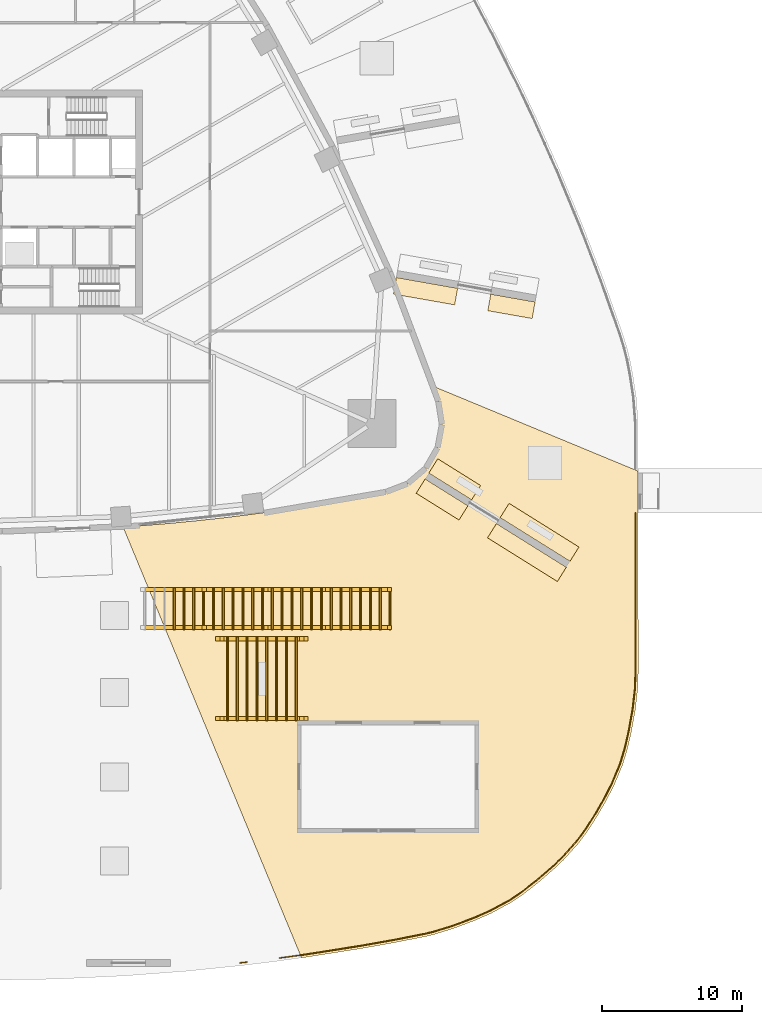
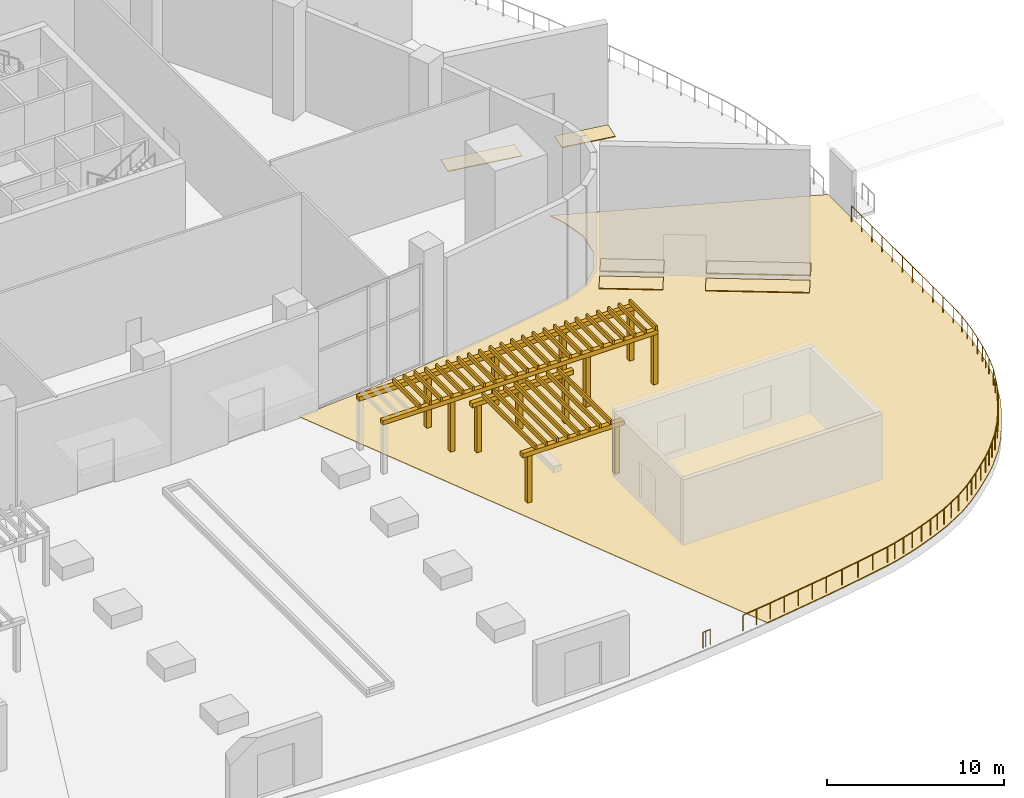
# One storey, part 17 of 20: 47 shading devices, 7 coverings, 2 railings.
"""IFC4 building model written with IfcOpenShell, lengths in metres."""

from ifc_helpers import new_model, si_unit, direction, frame, origin, origin_2d, place, context, subcontext, project, spatial, polyline, rectangle, circle, outline, extrude, material, layer, layer_set, type_object, element, save


model = new_model("IFC4")

# Units and contexts
model_context = context("Model", 3, precision=1e-05, world=origin(), true_north=direction((0.0, 1.0)))
body_context = subcontext(model_context, "Body", "Model", "MODEL_VIEW")
ifc_project = project(units=[si_unit("LENGTHUNIT", "METRE"), si_unit("AREAUNIT", "SQUARE_METRE"), si_unit("VOLUMEUNIT", "CUBIC_METRE"), si_unit("PLANEANGLEUNIT", "RADIAN"), si_unit("MASSUNIT", "GRAM", prefix="KILO")], contexts=[model_context])

# Site, building, storey
site_placement = place(None, origin())
site = spatial("IfcSite", under=ifc_project, at=site_placement, CompositionType="ELEMENT")
building_placement = place(site_placement, origin())
building = spatial("IfcBuilding", under=site, at=building_placement, Name="Sierra Prisma Convention Tower", CompositionType="ELEMENT")
storey_placement = place(building_placement, frame((0.0, 0.0, 9.0)))
storey = spatial("IfcBuildingStorey", under=building, at=storey_placement, Name="L01", CompositionType="ELEMENT", Elevation=9.0)

# Railings
ifc_material_1 = material(Name="Bronze anodised aluminium", Category="aluminium")
railing_type = type_object("IfcRailingType", Name="Deck guard 1100", PredefinedType="GUARDRAIL", material=ifc_material_1)
railing_1_placement = place(storey_placement, frame((17.949951171875, -54.276611328125, 0.0)))
element("IfcRailing", 1, at=railing_1_placement, inside=storey, type_object=railing_type, Name="Deck guard 1", PredefinedType="GUARDRAIL", context=body_context, shape_type="SweptSolid", body=[
    extrude(circle(Radius=0.02392578125, at=origin_2d()), frame((0.0, 0.0, 1.076171875), z_axis=(0.994800813463, 0.10183978365, 0.0), x_axis=(-0.10183978365, 0.994800813463, 0.0)), (0.0, 0.0, 1.0), 0.196533203125),
    extrude(circle(Radius=0.02392578125, at=origin_2d()), frame((0.195556640625, 0.02001953125, 1.076171875), z_axis=(0.992652875007, 0.120996982359, 0.0), x_axis=(-0.120996982359, 0.992652875007, 0.0)), (0.0, 0.0, 1.0), 0.306640625),
    extrude(circle(Radius=0.02099609375, at=origin_2d()), origin(), (0.0, 0.0, 1.0), 1.052001953125),
    extrude(circle(Radius=0.02099609375, at=origin_2d()), frame((0.195556640625, 0.02001953125, 0.0)), (0.0, 0.0, 1.0), 1.052001953125),
    extrude(circle(Radius=0.02099609375, at=origin_2d()), frame((0.5, 0.05712890625, 0.0)), (0.0, 0.0, 1.0), 1.052001953125),
])
railing_2_placement = place(storey_placement, frame((20.75, -53.93212890625, 0.0)))
element("IfcRailing", 2, at=railing_2_placement, inside=storey, type_object=railing_type, Name="Deck guard 2", PredefinedType="GUARDRAIL", context=body_context, shape_type="SweptSolid", body=[
    extrude(circle(Radius=0.02392578125, at=origin_2d()), frame((0.0, 0.0, 1.076171875), z_axis=(0.990716561778, 0.135943717096, 0.0), x_axis=(-0.135943717096, 0.990716561778, 0.0)), (0.0, 0.0, 1.0), 1.94140625),
    extrude(circle(Radius=0.02392578125, at=origin_2d()), frame((1.92333984375, 0.263916015625, 1.076171875), z_axis=(0.987795675875, 0.155755265471, 0.0), x_axis=(-0.155755265471, 0.987795675875, 0.0)), (0.0, 0.0, 1.0), 4.052001953125),
    extrude(circle(Radius=0.02392578125, at=origin_2d()), frame((5.92578125, 0.89501953125, 1.076171875), z_axis=(0.984443020679, 0.17570412356, 0.0), x_axis=(-0.17570412356, 0.984443020679, 0.0)), (0.0, 0.0, 1.0), 2.343994140625),
    extrude(circle(Radius=0.02392578125, at=origin_2d()), frame((8.2333984375, 1.306884765625, 1.076171875), z_axis=(0.981123572943, 0.193381836311, 0.0), x_axis=(-0.193381836311, 0.981123572943, 0.0)), (0.0, 0.0, 1.0), 2.215576171875),
    extrude(circle(Radius=0.02392578125, at=origin_2d()), frame((10.4072265625, 1.7353515625, 1.076171875), z_axis=(0.972489396376, 0.232947148375, 0.0), x_axis=(-0.232947148375, 0.972489396376, 0.0)), (0.0, 0.0, 1.0), 0.56396484375),
    extrude(circle(Radius=0.02392578125, at=origin_2d()), frame((10.95556640625, 1.86669921875, 1.076171875), z_axis=(0.956452540859, 0.291887884443, 0.0), x_axis=(-0.291887884443, 0.956452540859, 0.0)), (0.0, 0.0, 1.0), 1.444580078125),
    extrude(circle(Radius=0.02392578125, at=origin_2d()), frame((12.337158203125, 2.288330078125, 1.076171875), z_axis=(0.93544547986, 0.353471009008, 0.0), x_axis=(-0.353471009008, 0.93544547986, 0.0)), (0.0, 0.0, 1.0), 1.61767578125),
    extrude(circle(Radius=0.02392578125, at=origin_2d()), frame((13.850341796875, 2.860107421875, 1.076171875), z_axis=(0.916557061835, 0.399903928964, 0.0), x_axis=(-0.399903928964, 0.916557061835, 0.0)), (0.0, 0.0, 1.0), 1.2880859375),
    extrude(circle(Radius=0.02392578125, at=origin_2d()), frame((15.031005859375, 3.375244140625, 1.076171875), z_axis=(0.879114955194, 0.476609793809, 0.0), x_axis=(-0.476609793809, 0.879114955194, 0.0)), (0.0, 0.0, 1.0), 1.56494140625),
    extrude(circle(Radius=0.02392578125, at=origin_2d()), frame((16.40673828125, 4.12109375, 1.076171875), z_axis=(0.828805562288, 0.559536719011, 0.0), x_axis=(-0.559536719011, 0.828805562288, 0.0)), (0.0, 0.0, 1.0), 1.1162109375),
    extrude(circle(Radius=0.02392578125, at=origin_2d()), frame((17.331787109375, 4.74560546875, 1.076171875), z_axis=(0.78833146457, 0.615250763485, 0.0), x_axis=(-0.615250763485, 0.78833146457, 0.0)), (0.0, 0.0, 1.0), 1.289306640625),
    extrude(circle(Radius=0.02392578125, at=origin_2d()), frame((18.34814453125, 5.538818359375, 1.076171875), z_axis=(0.753942381339, 0.656940549533, 0.0), x_axis=(-0.656940549533, 0.753942381339, 0.0)), (0.0, 0.0, 1.0), 1.68115234375),
    extrude(circle(Radius=0.02392578125, at=origin_2d()), frame((19.61572265625, 6.643310546875, 1.076171875), z_axis=(0.722135756942, 0.691751363241, 0.0), x_axis=(-0.691751363241, 0.722135756942, 0.0)), (0.0, 0.0, 1.0), 0.72314453125),
    extrude(circle(Radius=0.02392578125, at=origin_2d()), frame((20.137939453125, 7.1435546875, 1.076171875), z_axis=(0.669859759832, 0.742487644448, 0.0), x_axis=(-0.742487644448, 0.669859759832, 0.0)), (0.0, 0.0, 1.0), 1.56640625),
    extrude(circle(Radius=0.02392578125, at=origin_2d()), frame((21.187255859375, 8.306640625, 1.076171875), z_axis=(0.594876933832, 0.803816791063, 0.0), x_axis=(-0.803816791063, 0.594876933832, 0.0)), (0.0, 0.0, 1.0), 1.115966796875),
    extrude(circle(Radius=0.02392578125, at=origin_2d()), frame((21.85107421875, 9.20361328125, 1.076171875), z_axis=(0.537818013768, 0.843060961062, 0.0), x_axis=(-0.843060961062, 0.537818013768, 0.0)), (0.0, 0.0, 1.0), 1.2900390625),
    extrude(circle(Radius=0.02392578125, at=origin_2d()), frame((22.544921875, 10.291259765625, 1.076171875), z_axis=(0.499949632511, 0.866054481515, 0.0), x_axis=(-0.866054481515, 0.499949632511, 0.0)), (0.0, 0.0, 1.0), 1.1162109375),
    extrude(circle(Radius=0.02392578125, at=origin_2d()), frame((23.10302734375, 11.258056640625, 1.076171875), z_axis=(0.461179719494, 0.887306748722, 0.0), x_axis=(-0.887306748722, 0.461179719494, 0.0)), (0.0, 0.0, 1.0), 1.28857421875),
    extrude(circle(Radius=0.02392578125, at=origin_2d()), frame((23.697265625, 12.4013671875, 1.076171875), z_axis=(0.383917425958, 0.9233674296, 0.0), x_axis=(-0.9233674296, 0.383917425958, 0.0)), (0.0, 0.0, 1.0), 1.56494140625),
    extrude(circle(Radius=0.02392578125, at=origin_2d()), frame((24.298095703125, 13.846435546875, 1.076171875), z_axis=(0.29264081094, 0.95622244053, 0.0), x_axis=(-0.95622244053, 0.29264081094, 0.0)), (0.0, 0.0, 1.0), 1.1162109375),
    extrude(circle(Radius=0.02392578125, at=origin_2d()), frame((24.624755859375, 14.913818359375, 1.076171875), z_axis=(0.226062337714, 0.974112837133, 0.0), x_axis=(-0.974112837133, 0.226062337714, 0.0)), (0.0, 0.0, 1.0), 1.28955078125),
    extrude(circle(Radius=0.02392578125, at=origin_2d()), frame((24.916259765625, 16.169921875, 1.076171875), z_axis=(0.176149252506, 0.984363469884, 0.0), x_axis=(-0.984363469884, 0.176149252506, 0.0)), (0.0, 0.0, 1.0), 1.625732421875),
    extrude(circle(Radius=0.02392578125, at=origin_2d()), frame((25.20263671875, 17.770263671875, 1.076171875), z_axis=(0.109752349544, 0.993958963826, 0.0), x_axis=(-0.993958963826, 0.109752349544, 0.0)), (0.0, 0.0, 1.0), 1.499267578125),
    extrude(circle(Radius=0.02392578125, at=origin_2d()), frame((25.3671875, 19.260498046875, 1.076171875), z_axis=(0.035783293856, 0.999359572867, 0.0), x_axis=(-0.999359572867, 0.035783293856, 0.0)), (0.0, 0.0, 1.0), 1.0439453125),
    extrude(circle(Radius=0.02392578125, at=origin_2d()), frame((25.404541015625, 20.3037109375, 1.076171875), z_axis=(-0.000405004976, 0.999999917985, 0.0), x_axis=(-0.999999917985, -0.000405004976, 0.0)), (0.0, 0.0, 1.0), 11.453369140625),
    extrude(circle(Radius=0.02099609375, at=origin_2d()), origin(), (0.0, 0.0, 1.0), 1.052001953125),
    extrude(circle(Radius=0.02099609375, at=origin_2d()), frame((0.961669921875, 0.1318359375, 0.0)), (0.0, 0.0, 1.0), 1.052001953125),
    extrude(circle(Radius=0.02099609375, at=origin_2d()), frame((1.92333984375, 0.263916015625, 0.0)), (0.0, 0.0, 1.0), 1.052001953125),
    extrude(circle(Radius=0.02099609375, at=origin_2d()), frame((2.923828125, 0.421630859375, 0.0)), (0.0, 0.0, 1.0), 1.052001953125),
    extrude(circle(Radius=0.02099609375, at=origin_2d()), frame((3.924560546875, 0.57958984375, 0.0)), (0.0, 0.0, 1.0), 1.052001953125),
    extrude(circle(Radius=0.02099609375, at=origin_2d()), frame((4.92529296875, 0.7373046875, 0.0)), (0.0, 0.0, 1.0), 1.052001953125),
    extrude(circle(Radius=0.02099609375, at=origin_2d()), frame((5.92578125, 0.89501953125, 0.0)), (0.0, 0.0, 1.0), 1.052001953125),
    extrude(circle(Radius=0.02099609375, at=origin_2d()), frame((7.07958984375, 1.10107421875, 0.0)), (0.0, 0.0, 1.0), 1.052001953125),
    extrude(circle(Radius=0.02099609375, at=origin_2d()), frame((8.2333984375, 1.306884765625, 0.0)), (0.0, 0.0, 1.0), 1.052001953125),
    extrude(circle(Radius=0.02099609375, at=origin_2d()), frame((9.3203125, 1.52099609375, 0.0)), (0.0, 0.0, 1.0), 1.052001953125),
    extrude(circle(Radius=0.02099609375, at=origin_2d()), frame((10.4072265625, 1.7353515625, 0.0)), (0.0, 0.0, 1.0), 1.052001953125),
    extrude(circle(Radius=0.02099609375, at=origin_2d()), frame((10.95556640625, 1.86669921875, 0.0)), (0.0, 0.0, 1.0), 1.052001953125),
    extrude(circle(Radius=0.02099609375, at=origin_2d()), frame((11.646484375, 2.07763671875, 0.0)), (0.0, 0.0, 1.0), 1.052001953125),
    extrude(circle(Radius=0.02099609375, at=origin_2d()), frame((12.337158203125, 2.288330078125, 0.0)), (0.0, 0.0, 1.0), 1.052001953125),
    extrude(circle(Radius=0.02099609375, at=origin_2d()), frame((13.09375, 2.57421875, 0.0)), (0.0, 0.0, 1.0), 1.052001953125),
    extrude(circle(Radius=0.02099609375, at=origin_2d()), frame((13.850341796875, 2.860107421875, 0.0)), (0.0, 0.0, 1.0), 1.052001953125),
    extrude(circle(Radius=0.02099609375, at=origin_2d()), frame((14.440673828125, 3.11767578125, 0.0)), (0.0, 0.0, 1.0), 1.052001953125),
    extrude(circle(Radius=0.02099609375, at=origin_2d()), frame((15.031005859375, 3.375244140625, 0.0)), (0.0, 0.0, 1.0), 1.052001953125),
    extrude(circle(Radius=0.02099609375, at=origin_2d()), frame((15.71875, 3.748046875, 0.0)), (0.0, 0.0, 1.0), 1.052001953125),
    extrude(circle(Radius=0.02099609375, at=origin_2d()), frame((16.40673828125, 4.12109375, 0.0)), (0.0, 0.0, 1.0), 1.052001953125),
    extrude(circle(Radius=0.02099609375, at=origin_2d()), frame((17.331787109375, 4.74560546875, 0.0)), (0.0, 0.0, 1.0), 1.052001953125),
    extrude(circle(Radius=0.02099609375, at=origin_2d()), frame((17.83984375, 5.14208984375, 0.0)), (0.0, 0.0, 1.0), 1.052001953125),
    extrude(circle(Radius=0.02099609375, at=origin_2d()), frame((18.34814453125, 5.538818359375, 0.0)), (0.0, 0.0, 1.0), 1.052001953125),
    extrude(circle(Radius=0.02099609375, at=origin_2d()), frame((18.98193359375, 6.091064453125, 0.0)), (0.0, 0.0, 1.0), 1.052001953125),
    extrude(circle(Radius=0.02099609375, at=origin_2d()), frame((19.61572265625, 6.643310546875, 0.0)), (0.0, 0.0, 1.0), 1.052001953125),
    extrude(circle(Radius=0.02099609375, at=origin_2d()), frame((20.137939453125, 7.1435546875, 0.0)), (0.0, 0.0, 1.0), 1.052001953125),
    extrude(circle(Radius=0.02099609375, at=origin_2d()), frame((20.66259765625, 7.72509765625, 0.0)), (0.0, 0.0, 1.0), 1.052001953125),
    extrude(circle(Radius=0.02099609375, at=origin_2d()), frame((21.187255859375, 8.306640625, 0.0)), (0.0, 0.0, 1.0), 1.052001953125),
    extrude(circle(Radius=0.02099609375, at=origin_2d()), frame((21.85107421875, 9.20361328125, 0.0)), (0.0, 0.0, 1.0), 1.052001953125),
    extrude(circle(Radius=0.02099609375, at=origin_2d()), frame((22.197998046875, 9.74755859375, 0.0)), (0.0, 0.0, 1.0), 1.052001953125),
    extrude(circle(Radius=0.02099609375, at=origin_2d()), frame((22.544921875, 10.291259765625, 0.0)), (0.0, 0.0, 1.0), 1.052001953125),
    extrude(circle(Radius=0.02099609375, at=origin_2d()), frame((23.10302734375, 11.258056640625, 0.0)), (0.0, 0.0, 1.0), 1.052001953125),
    extrude(circle(Radius=0.02099609375, at=origin_2d()), frame((23.400146484375, 11.82958984375, 0.0)), (0.0, 0.0, 1.0), 1.052001953125),
    extrude(circle(Radius=0.02099609375, at=origin_2d()), frame((23.697265625, 12.4013671875, 0.0)), (0.0, 0.0, 1.0), 1.052001953125),
    extrude(circle(Radius=0.02099609375, at=origin_2d()), frame((23.99755859375, 13.1240234375, 0.0)), (0.0, 0.0, 1.0), 1.052001953125),
    extrude(circle(Radius=0.02099609375, at=origin_2d()), frame((24.298095703125, 13.846435546875, 0.0)), (0.0, 0.0, 1.0), 1.052001953125),
    extrude(circle(Radius=0.02099609375, at=origin_2d()), frame((24.624755859375, 14.913818359375, 0.0)), (0.0, 0.0, 1.0), 1.052001953125),
    extrude(circle(Radius=0.02099609375, at=origin_2d()), frame((24.7705078125, 15.5419921875, 0.0)), (0.0, 0.0, 1.0), 1.052001953125),
    extrude(circle(Radius=0.02099609375, at=origin_2d()), frame((24.916259765625, 16.169921875, 0.0)), (0.0, 0.0, 1.0), 1.052001953125),
    extrude(circle(Radius=0.02099609375, at=origin_2d()), frame((25.0595703125, 16.97021484375, 0.0)), (0.0, 0.0, 1.0), 1.052001953125),
    extrude(circle(Radius=0.02099609375, at=origin_2d()), frame((25.20263671875, 17.770263671875, 0.0)), (0.0, 0.0, 1.0), 1.052001953125),
    extrude(circle(Radius=0.02099609375, at=origin_2d()), frame((25.284912109375, 18.515380859375, 0.0)), (0.0, 0.0, 1.0), 1.052001953125),
    extrude(circle(Radius=0.02099609375, at=origin_2d()), frame((25.3671875, 19.260498046875, 0.0)), (0.0, 0.0, 1.0), 1.052001953125),
    extrude(circle(Radius=0.02099609375, at=origin_2d()), frame((25.404541015625, 20.3037109375, 0.0)), (0.0, 0.0, 1.0), 1.052001953125),
    extrude(circle(Radius=0.02099609375, at=origin_2d()), frame((25.404052734375, 21.448974609375, 0.0)), (0.0, 0.0, 1.0), 1.052001953125),
    extrude(circle(Radius=0.02099609375, at=origin_2d()), frame((25.403564453125, 22.594482421875, 0.0)), (0.0, 0.0, 1.0), 1.052001953125),
    extrude(circle(Radius=0.02099609375, at=origin_2d()), frame((25.403076171875, 23.73974609375, 0.0)), (0.0, 0.0, 1.0), 1.052001953125),
    extrude(circle(Radius=0.02099609375, at=origin_2d()), frame((25.402587890625, 24.885009765625, 0.0)), (0.0, 0.0, 1.0), 1.052001953125),
    extrude(circle(Radius=0.02099609375, at=origin_2d()), frame((25.40234375, 26.0302734375, 0.0)), (0.0, 0.0, 1.0), 1.052001953125),
    extrude(circle(Radius=0.02099609375, at=origin_2d()), frame((25.40185546875, 27.17578125, 0.0)), (0.0, 0.0, 1.0), 1.052001953125),
    extrude(circle(Radius=0.02099609375, at=origin_2d()), frame((25.4013671875, 28.321044921875, 0.0)), (0.0, 0.0, 1.0), 1.052001953125),
    extrude(circle(Radius=0.02099609375, at=origin_2d()), frame((25.40087890625, 29.46630859375, 0.0)), (0.0, 0.0, 1.0), 1.052001953125),
    extrude(circle(Radius=0.02099609375, at=origin_2d()), frame((25.400390625, 30.61181640625, 0.0)), (0.0, 0.0, 1.0), 1.052001953125),
    extrude(circle(Radius=0.02099609375, at=origin_2d()), frame((25.39990234375, 31.757080078125, 0.0)), (0.0, 0.0, 1.0), 1.052001953125),
])

# Coverings
ifc_material_2 = material(Name="Natural limestone pavers", Category="masonry")
ifc_layer_1 = layer(ifc_material_2, 0.06005859375)
ifc_layer_set_1 = layer_set([ifc_layer_1], Name="Deck paving, stone pavers")
covering_type_1 = type_object("IfcCoveringType", Name="Deck paving, stone pavers", PredefinedType="FLOORING", material=ifc_layer_set_1)
covering_1_placement = place(storey_placement, frame((0.0, 0.0, -0.06005859375)))
element("IfcCovering", 3, at=covering_1_placement, inside=storey, type_object=covering_type_1, Name="Deck paving 2", PredefinedType="FLOORING", context=body_context, shape_type="SweptSolid", body=[
    extrude(outline(polyline([(46.348388671875, -19.1982421875), (31.728515625, -13.142333984375), (32.091064453125, -14.1904296875), (32.354736328125, -15.861572265625), (32.045654296875, -17.52490234375), (31.199951171875, -18.989990234375), (29.913818359375, -20.089111328125), (28.3349609375, -20.696533203125), (26.403564453125, -21.06884765625), (24.467529296875, -21.414794921875), (22.52685546875, -21.734375), (20.581787109375, -22.027587890625), (18.63330078125, -22.29443359375), (16.68115234375, -22.53466796875), (14.725830078125, -22.748291015625), (12.767822265625, -22.93505859375), (10.8076171875, -23.095458984375), (9.6005859375, -23.177734375), (22.3330078125, -53.916748046875), (22.702392578125, -53.8662109375), (26.708984375, -53.234375), (29.020263671875, -52.822021484375), (31.199951171875, -52.39208984375), (31.758056640625, -52.258544921875), (33.15185546875, -51.833251953125), (34.67578125, -51.25732421875), (35.86865234375, -50.73681640625), (37.2607421875, -49.982177734375), (38.199462890625, -49.348388671875), (39.225341796875, -48.547607421875), (40.50048828125, -47.436279296875), (41.031494140625, -46.927978515625), (42.09228515625, -45.75244140625), (42.765869140625, -44.841796875), (43.4658203125, -43.74462890625), (44.0283203125, -42.770263671875), (44.628662109375, -41.615478515625), (45.236572265625, -40.1533203125), (45.568115234375, -39.0703125), (45.8623046875, -37.802490234375), (46.15087890625, -36.1904296875), (46.31689453125, -34.686279296875), (46.3544921875, -33.632080078125), (46.348388671875, -19.1982421875)])), origin(), (0.0, 0.0, 1.0), 0.06005859375),
])
ifc_material_3 = material(Name="Crushed limestone gravel", Category="masonry")
ifc_layer_2 = layer(ifc_material_3, 0.050048828125)
ifc_layer_set_2 = layer_set([ifc_layer_2], Name="Gravel border")
covering_type_2 = type_object("IfcCoveringType", Name="Gravel border", PredefinedType="FLOORING", material=ifc_layer_set_2)
covering_2_placement = place(storey_placement, origin())
element("IfcCovering", 4, at=covering_2_placement, inside=storey, type_object=covering_type_2, Name="Wind-scour gravel border", PredefinedType="FLOORING", context=body_context, shape_type="SweptSolid", body=[
    extrude(outline(polyline([(31.41455078125, -19.335205078125), (34.46728515625, -21.242919921875), (35.103271484375, -20.22509765625), (32.05029296875, -18.3173828125), (31.41455078125, -19.335205078125)])), origin(), (0.0, 0.0, 1.0), 0.050048828125),
])
covering_3_placement = place(storey_placement, origin())
element("IfcCovering", 5, at=covering_3_placement, inside=storey, type_object=covering_type_2, Name="Wind-scour gravel border", PredefinedType="FLOORING", context=body_context, shape_type="SweptSolid", body=[
    extrude(outline(polyline([(31.1494140625, -19.75927734375), (34.202392578125, -21.6669921875), (33.56640625, -22.6845703125), (30.513671875, -20.77685546875), (31.1494140625, -19.75927734375)])), origin(), (0.0, 0.0, 1.0), 0.050048828125),
])
covering_4_placement = place(storey_placement, origin())
element("IfcCovering", 6, at=covering_4_placement, inside=storey, type_object=covering_type_2, Name="Wind-scour gravel border", PredefinedType="FLOORING", context=body_context, shape_type="SweptSolid", body=[
    extrude(outline(polyline([(36.502685546875, -22.5146484375), (41.48388671875, -25.627197265625), (42.11962890625, -24.609619140625), (37.138671875, -21.4970703125), (36.502685546875, -22.5146484375)])), origin(), (0.0, 0.0, 1.0), 0.050048828125),
])
covering_5_placement = place(storey_placement, origin())
element("IfcCovering", 7, at=covering_5_placement, inside=storey, type_object=covering_type_2, Name="Wind-scour gravel border", PredefinedType="FLOORING", context=body_context, shape_type="SweptSolid", body=[
    extrude(outline(polyline([(36.23779296875, -22.938720703125), (41.21875, -26.05126953125), (40.5830078125, -27.06884765625), (35.601806640625, -23.956298828125), (36.23779296875, -22.938720703125)])), origin(), (0.0, 0.0, 1.0), 0.050048828125),
])
covering_6_placement = place(storey_placement, origin())
element("IfcCovering", 8, at=covering_6_placement, inside=storey, type_object=covering_type_2, Name="Wind-scour gravel border", PredefinedType="FLOORING", context=body_context, shape_type="SweptSolid", body=[
    extrude(outline(polyline([(29.098388671875, -5.384765625), (33.466796875, -6.155029296875), (33.258544921875, -7.336669921875), (28.889892578125, -6.56640625), (29.098388671875, -5.384765625)])), origin(), (0.0, 0.0, 1.0), 0.050048828125),
])
covering_7_placement = place(storey_placement, origin())
element("IfcCovering", 9, at=covering_7_placement, inside=storey, type_object=covering_type_2, Name="Wind-scour gravel border", PredefinedType="FLOORING", context=body_context, shape_type="SweptSolid", body=[
    extrude(outline(polyline([(35.830322265625, -6.57177734375), (38.993896484375, -7.12939453125), (38.785400390625, -8.311279296875), (35.6220703125, -7.75341796875), (35.830322265625, -6.57177734375)])), origin(), (0.0, 0.0, 1.0), 0.050048828125),
])

# Shading devices
for number, where, z_axis, x_axis, name in (
    (10, (15.39990234375, -30.35009765625, 0.0), (0.0, 0.0, 1.0), (1.0, 0.0, 0.0), "Colonnade post"),
    (11, (15.39990234375, -27.64990234375, 0.0), (0.0, 0.0, 1.0), (1.0, 0.0, 0.0), "Colonnade post"),
    (12, (19.800048828125, -30.35009765625, 0.0), (0.0, 0.0, 1.0), (1.0, 0.0, 0.0), "Colonnade post"),
    (13, (19.800048828125, -27.64990234375, 0.0), (0.0, 0.0, 1.0), (1.0, 0.0, 0.0), "Colonnade post"),
    (14, (24.199951171875, -30.35009765625, 0.0), (0.0, 0.0, 1.0), (1.0, 0.0, 0.0), "Colonnade post"),
    (15, (24.199951171875, -27.64990234375, 0.0), (0.0, 0.0, 1.0), (1.0, 0.0, 0.0), "Colonnade post"),
    (16, (28.60009765625, -30.35009765625, 0.0), (0.0, 0.0, 1.0), (1.0, 0.0, 0.0), "Colonnade post"),
    (17, (28.60009765625, -27.64990234375, 0.0), (0.0, 0.0, 1.0), (1.0, 0.0, 0.0), "Colonnade post"),
):
    element("IfcShadingDevice", number, at=place(storey_placement, frame(where, z_axis=z_axis, x_axis=x_axis)), inside=storey, Name=name, ObjectType="PERGOLA", PredefinedType="USERDEFINED", context=body_context, shape_type="SweptSolid", body=[
        extrude(rectangle(XDim=0.300048828125, YDim=0.300048828125, at=origin_2d()), origin(), (0.0, 0.0, 1.0), 3.39990234375),
    ])
for number, where, z_axis, x_axis, name in (
    (18, (19.800048828125, -30.35009765625, 3.39990234375), (0.0, 0.0, 1.0), (1.0, 0.0, 0.0), "Colonnade beam"),
    (19, (19.800048828125, -27.64990234375, 3.39990234375), (0.0, 0.0, 1.0), (1.0, 0.0, 0.0), "Colonnade beam"),
):
    element("IfcShadingDevice", number, at=place(storey_placement, frame(where, z_axis=z_axis, x_axis=x_axis)), inside=storey, Name=name, ObjectType="PERGOLA", PredefinedType="USERDEFINED", context=body_context, shape_type="SweptSolid", body=[
        extrude(rectangle(XDim=17.89990234375, YDim=0.300048828125, at=origin_2d()), origin(), (0.0, 0.0, 1.0), 0.300048828125),
    ])
for number, where, z_axis, x_axis, name in (
    (20, (13.25, -29.0, 3.7001953125), (0.0, 0.0, 1.0), (1.0, 0.0, 0.0), "Colonnade slat"),
    (21, (13.949951171875, -29.0, 3.7001953125), (0.0, 0.0, 1.0), (1.0, 0.0, 0.0), "Colonnade slat"),
    (22, (14.64990234375, -29.0, 3.7001953125), (0.0, 0.0, 1.0), (1.0, 0.0, 0.0), "Colonnade slat"),
    (23, (15.35009765625, -29.0, 3.7001953125), (0.0, 0.0, 1.0), (1.0, 0.0, 0.0), "Colonnade slat"),
    (24, (16.050048828125, -29.0, 3.7001953125), (0.0, 0.0, 1.0), (1.0, 0.0, 0.0), "Colonnade slat"),
    (25, (16.75, -29.0, 3.7001953125), (0.0, 0.0, 1.0), (1.0, 0.0, 0.0), "Colonnade slat"),
    (26, (17.449951171875, -29.0, 3.7001953125), (0.0, 0.0, 1.0), (1.0, 0.0, 0.0), "Colonnade slat"),
    (27, (18.14990234375, -29.0, 3.7001953125), (0.0, 0.0, 1.0), (1.0, 0.0, 0.0), "Colonnade slat"),
    (28, (18.85009765625, -29.0, 3.7001953125), (0.0, 0.0, 1.0), (1.0, 0.0, 0.0), "Colonnade slat"),
    (29, (19.550048828125, -29.0, 3.7001953125), (0.0, 0.0, 1.0), (1.0, 0.0, 0.0), "Colonnade slat"),
    (30, (20.25, -29.0, 3.7001953125), (0.0, 0.0, 1.0), (1.0, 0.0, 0.0), "Colonnade slat"),
    (31, (20.949951171875, -29.0, 3.7001953125), (0.0, 0.0, 1.0), (1.0, 0.0, 0.0), "Colonnade slat"),
    (32, (21.64990234375, -29.0, 3.7001953125), (0.0, 0.0, 1.0), (1.0, 0.0, 0.0), "Colonnade slat"),
    (33, (22.35009765625, -29.0, 3.7001953125), (0.0, 0.0, 1.0), (1.0, 0.0, 0.0), "Colonnade slat"),
    (34, (23.050048828125, -29.0, 3.7001953125), (0.0, 0.0, 1.0), (1.0, 0.0, 0.0), "Colonnade slat"),
    (35, (23.75, -29.0, 3.7001953125), (0.0, 0.0, 1.0), (1.0, 0.0, 0.0), "Colonnade slat"),
    (36, (24.449951171875, -29.0, 3.7001953125), (0.0, 0.0, 1.0), (1.0, 0.0, 0.0), "Colonnade slat"),
    (37, (25.14990234375, -29.0, 3.7001953125), (0.0, 0.0, 1.0), (1.0, 0.0, 0.0), "Colonnade slat"),
    (38, (25.85009765625, -29.0, 3.7001953125), (0.0, 0.0, 1.0), (1.0, 0.0, 0.0), "Colonnade slat"),
    (39, (26.550048828125, -29.0, 3.7001953125), (0.0, 0.0, 1.0), (1.0, 0.0, 0.0), "Colonnade slat"),
    (40, (27.25, -29.0, 3.7001953125), (0.0, 0.0, 1.0), (1.0, 0.0, 0.0), "Colonnade slat"),
    (41, (27.949951171875, -29.0, 3.7001953125), (0.0, 0.0, 1.0), (1.0, 0.0, 0.0), "Colonnade slat"),
    (42, (28.64990234375, -29.0, 3.7001953125), (0.0, 0.0, 1.0), (1.0, 0.0, 0.0), "Colonnade slat"),
):
    element("IfcShadingDevice", number, at=place(storey_placement, frame(where, z_axis=z_axis, x_axis=x_axis)), inside=storey, Name=name, ObjectType="PERGOLA", PredefinedType="USERDEFINED", context=body_context, shape_type="SweptSolid", body=[
        extrude(rectangle(XDim=0.1201171875, YDim=3.0, at=origin_2d()), origin(), (0.0, 0.0, 1.0), 0.300048828125),
    ])
for number, where, z_axis, x_axis, name in (
    (43, (16.64990234375, -36.85009765625, 0.0), (0.0, 0.0, 1.0), (1.0, 0.0, 0.0), "Pergola post"),
    (44, (22.35009765625, -36.85009765625, 0.0), (0.0, 0.0, 1.0), (1.0, 0.0, 0.0), "Pergola post"),
    (45, (22.35009765625, -31.14990234375, 0.0), (0.0, 0.0, 1.0), (1.0, 0.0, 0.0), "Pergola post"),
    (46, (16.64990234375, -31.14990234375, 0.0), (0.0, 0.0, 1.0), (1.0, 0.0, 0.0), "Pergola post"),
):
    element("IfcShadingDevice", number, at=place(storey_placement, frame(where, z_axis=z_axis, x_axis=x_axis)), inside=storey, Name=name, ObjectType="PERGOLA", PredefinedType="USERDEFINED", context=body_context, shape_type="SweptSolid", body=[
        extrude(rectangle(XDim=0.300048828125, YDim=0.300048828125, at=origin_2d()), origin(), (0.0, 0.0, 1.0), 3.199951171875),
    ])
for number, where, z_axis, x_axis, name in (
    (47, (19.5, -36.85009765625, 3.2001953125), (0.0, 0.0, 1.0), (1.0, 0.0, 0.0), "Pergola beam"),
    (48, (19.5, -31.14990234375, 3.2001953125), (0.0, 0.0, 1.0), (1.0, 0.0, 0.0), "Pergola beam"),
):
    element("IfcShadingDevice", number, at=place(storey_placement, frame(where, z_axis=z_axis, x_axis=x_axis)), inside=storey, Name=name, ObjectType="PERGOLA", PredefinedType="USERDEFINED", context=body_context, shape_type="SweptSolid", body=[
        extrude(rectangle(XDim=6.60009765625, YDim=0.300048828125, at=origin_2d()), origin(), (0.0, 0.0, 1.0), 0.300048828125),
    ])
for number, where, z_axis, x_axis, name in (
    (49, (17.050048828125, -34.0, 3.5), (0.0, 0.0, 1.0), (1.0, 0.0, 0.0), "Pergola slat"),
    (50, (17.75, -34.0, 3.5), (0.0, 0.0, 1.0), (1.0, 0.0, 0.0), "Pergola slat"),
    (51, (18.449951171875, -34.0, 3.5), (0.0, 0.0, 1.0), (1.0, 0.0, 0.0), "Pergola slat"),
    (52, (19.14990234375, -34.0, 3.5), (0.0, 0.0, 1.0), (1.0, 0.0, 0.0), "Pergola slat"),
    (53, (19.85009765625, -34.0, 3.5), (0.0, 0.0, 1.0), (1.0, 0.0, 0.0), "Pergola slat"),
    (54, (20.550048828125, -34.0, 3.5), (0.0, 0.0, 1.0), (1.0, 0.0, 0.0), "Pergola slat"),
    (55, (21.25, -34.0, 3.5), (0.0, 0.0, 1.0), (1.0, 0.0, 0.0), "Pergola slat"),
    (56, (21.949951171875, -34.0, 3.5), (0.0, 0.0, 1.0), (1.0, 0.0, 0.0), "Pergola slat"),
):
    element("IfcShadingDevice", number, at=place(storey_placement, frame(where, z_axis=z_axis, x_axis=x_axis)), inside=storey, Name=name, ObjectType="PERGOLA", PredefinedType="USERDEFINED", context=body_context, shape_type="SweptSolid", body=[
        extrude(rectangle(XDim=0.1201171875, YDim=6.0, at=origin_2d()), origin(), (0.0, 0.0, 1.0), 0.300048828125),
    ])

save(model, "model.ifc")
